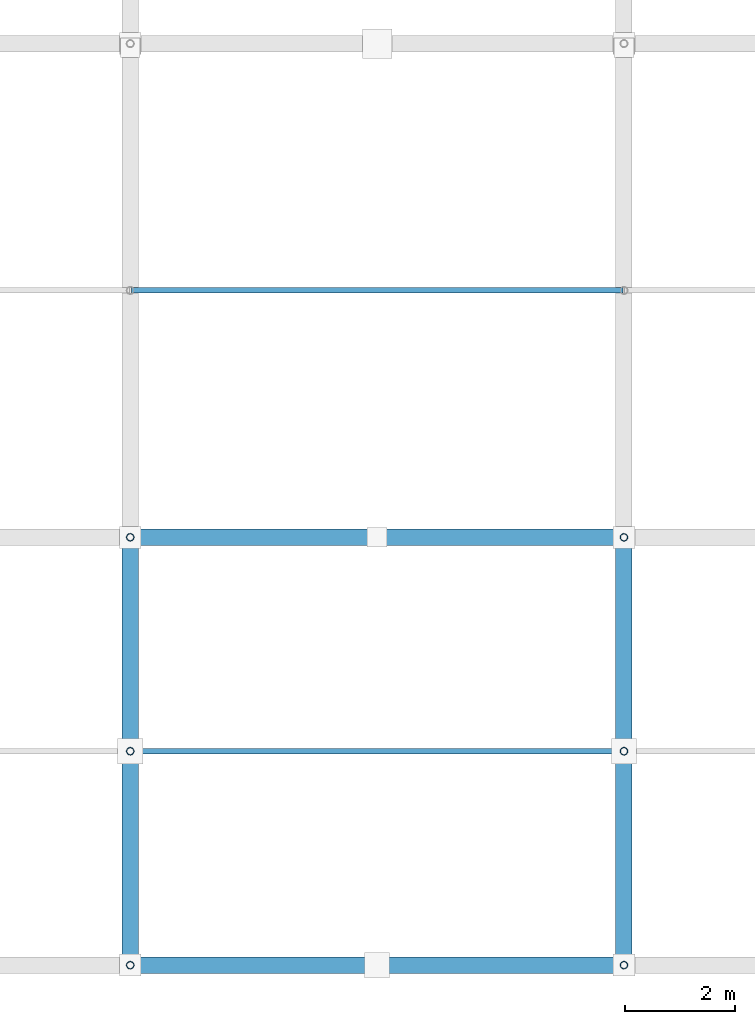
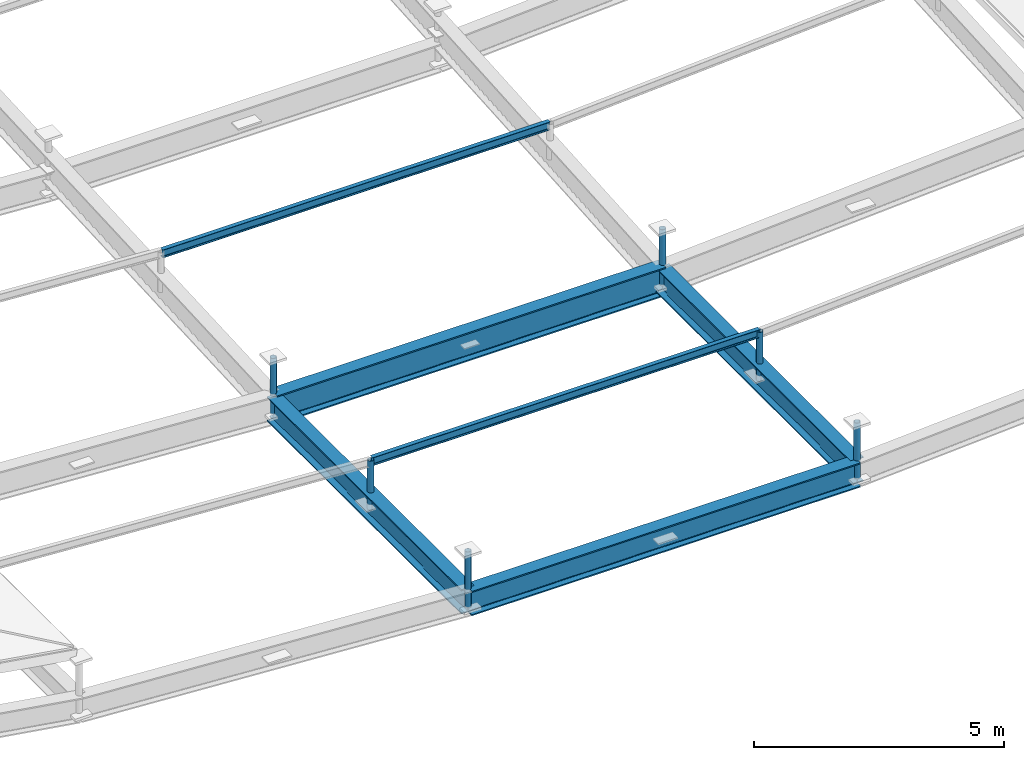
# One storey, part 14 of 80: 8 members, 4 beams.
"""IFC4 building model written with IfcOpenShell, lengths in metres."""

from ifc_helpers import new_model, si_unit, direction, frame, origin, origin_2d, place, context, subcontext, project, spatial, hollow_circle, i_section, extrude, material, material_profile, profile_set, type_object, element, save


model = new_model("IFC4")

# Units and contexts
model_context = context("Model", 3, precision=1e-05, world=origin(), true_north=direction((0.0, 1.0)))
body_context = subcontext(model_context, "Body", "Model", "MODEL_VIEW")
ifc_project = project(units=[si_unit("LENGTHUNIT", "METRE"), si_unit("AREAUNIT", "SQUARE_METRE"), si_unit("VOLUMEUNIT", "CUBIC_METRE"), si_unit("PLANEANGLEUNIT", "RADIAN"), si_unit("MASSUNIT", "GRAM", prefix="KILO")], contexts=[model_context])

# Site, building, storey
site_placement = place(None, origin())
site = spatial("IfcSite", under=ifc_project, at=site_placement, CompositionType="ELEMENT")
building_placement = place(site_placement, origin())
building = spatial("IfcBuilding", under=site, at=building_placement, Name="Barlavento Convention Centre", CompositionType="ELEMENT")
storey_placement = place(building_placement, frame((0.0, 0.0, 29.800048828125)))
storey = spatial("IfcBuildingStorey", under=building, at=storey_placement, Name="RF", CompositionType="ELEMENT", Elevation=29.800048828125)

# Beams
ifc_material_1 = material(Name="Steel S355", Category="steel")
ifc_material_profile_1 = material_profile(ifc_material_1, i_section(OverallWidth=0.300048828125, OverallDepth=0.60009765625, WebThickness=0.015380859375, FlangeThickness=0.030029296875, FilletRadius=0.027099609375, at=origin_2d()), Name="HEB 600")
ifc_profile_set_1 = profile_set([ifc_material_profile_1], Name="Steel S355")
beam_type_1 = type_object("IfcBeamType", Name="STR-BM-CANT-HEB600", PredefinedType="BEAM", material=ifc_profile_set_1)
beam_1_placement = place(storey_placement, frame((27.0048828125, -7.800048828125, -1.800048828125), z_axis=(1.0, 0.0, 0.0), x_axis=(0.0, 1.0, 0.0)))
element("IfcBeam", 1, at=beam_1_placement, inside=storey, type_object=beam_type_1, Name="Congress roof truss space frame chord", PredefinedType="BEAM", context=body_context, shape_type="SweptSolid", body=[
    extrude(i_section(OverallWidth=0.300048828125, OverallDepth=0.60009765625, WebThickness=0.015380859375, FlangeThickness=0.030029296875, FilletRadius=0.027099609375, at=origin_2d()), origin(), (0.0, 0.0, 1.0), 8.990234375),
])
for number, where, z_axis, x_axis, name in (
    (2, (27.0, -7.794921875, -1.800048828125), (0.0, 1.0, 0.0), (-1.0, 0.0, 0.0), "Congress roof truss space frame chord"),
    (3, (36.0, -7.794921875, -1.800048828125), (0.0, 1.0, 0.0), (-1.0, 0.0, 0.0), "Congress roof truss space frame chord"),
):
    element("IfcBeam", number, at=place(storey_placement, frame(where, z_axis=z_axis, x_axis=x_axis)), inside=storey, type_object=beam_type_1, Name=name, PredefinedType="BEAM", context=body_context, shape_type="SweptSolid", body=[
        extrude(i_section(OverallWidth=0.300048828125, OverallDepth=0.60009765625, WebThickness=0.015380859375, FlangeThickness=0.030029296875, FilletRadius=0.027099609375, at=origin_2d()), origin(), (0.0, 0.0, 1.0), 7.7900390625),
    ])
ifc_material_2 = material(Name="Steel S460", Category="steel")
ifc_material_profile_2 = material_profile(ifc_material_2, i_section(OverallWidth=0.300048828125, OverallDepth=0.699951171875, WebThickness=0.01708984375, FlangeThickness=0.031982421875, FilletRadius=0.027099609375, at=origin_2d()), Name="HEB 700")
ifc_profile_set_2 = profile_set([ifc_material_profile_2], Name="Steel S460")
beam_type_2 = type_object("IfcBeamType", Name="STR-BM-TRUSS-TOP-HEB700", PredefinedType="BEAM", material=ifc_profile_set_2)
beam_2_placement = place(storey_placement, frame((27.0048828125, 0.0, -1.800048828125), z_axis=(1.0, 0.0, 0.0), x_axis=(0.0, 1.0, 0.0)))
element("IfcBeam", 4, at=beam_2_placement, inside=storey, type_object=beam_type_2, Name="Congress roof truss space frame chord", PredefinedType="BEAM", context=body_context, shape_type="SweptSolid", body=[
    extrude(i_section(OverallWidth=0.300048828125, OverallDepth=0.699951171875, WebThickness=0.01708984375, FlangeThickness=0.031982421875, FilletRadius=0.027099609375, at=origin_2d()), origin(), (0.0, 0.0, 1.0), 8.990234375),
])

# Members
ifc_material_profile_3 = material_profile(ifc_material_1, hollow_circle(Radius=0.06982421875, WallThickness=0.008056640625, at=origin_2d()), Name="CHS 139.7x8.0")
ifc_profile_set_3 = profile_set([ifc_material_profile_3], Name="Steel S355")
member_type_1 = type_object("IfcMemberType", Name="STR-MEM-DIAG-CHS139", PredefinedType="BRACE", material=ifc_profile_set_3)
for number, where, z_axis, x_axis, name in (
    (5, (27.0, -7.800048828125, -1.949951171875), (0.0, 0.0, 1.0), (1.0, 0.0, 0.0), "Congress space frame vertical node post TD04"),
    (6, (27.0, 0.0, -1.949951171875), (0.0, 0.0, 1.0), (1.0, 0.0, 0.0), "Congress space frame vertical node post TD04"),
    (7, (36.0, -7.800048828125, -1.949951171875), (0.0, 0.0, 1.0), (1.0, 0.0, 0.0), "Congress space frame vertical node post TD04"),
    (8, (36.0, 0.0, -1.949951171875), (0.0, 0.0, 1.0), (1.0, 0.0, 0.0), "Congress space frame vertical node post TD04"),
):
    element("IfcMember", number, at=place(storey_placement, frame(where, z_axis=z_axis, x_axis=x_axis)), inside=storey, type_object=member_type_1, Name=name, PredefinedType="BRACE", context=body_context, shape_type="SweptSolid", body=[
        extrude(hollow_circle(Radius=0.06982421875, WallThickness=0.008056640625, at=origin_2d()), origin(), (0.0, 0.0, 1.0), 1.369873046875),
    ])
for number, where, z_axis, x_axis, name in (
    (9, (27.0, -3.89990234375, -1.920166015625), (0.0, 0.0, 1.0), (1.0, 0.0, 0.0), "Congress space frame vertical node post TD04"),
    (10, (36.0, -3.89990234375, -1.920166015625), (0.0, 0.0, 1.0), (1.0, 0.0, 0.0), "Congress space frame vertical node post TD04"),
):
    element("IfcMember", number, at=place(storey_placement, frame(where, z_axis=z_axis, x_axis=x_axis)), inside=storey, type_object=member_type_1, Name=name, PredefinedType="BRACE", context=body_context, shape_type="SweptSolid", body=[
        extrude(hollow_circle(Radius=0.06982421875, WallThickness=0.008056640625, at=origin_2d()), origin(), (0.0, 0.0, 1.0), 1.197021484375),
    ])
ifc_material_profile_4 = material_profile(ifc_material_1, i_section(OverallWidth=0.10009765625, OverallDepth=0.199951171875, WebThickness=0.005615234375, FlangeThickness=0.008544921875, FilletRadius=0.011962890625, at=origin_2d()), Name="IPE 200")
ifc_profile_set_4 = profile_set([ifc_material_profile_4], Name="Steel S355")
member_type_2 = type_object("IfcMemberType", Name="STR-MEM-PUR-IPE200", PredefinedType="PURLIN", material=ifc_profile_set_4)
for number, where, z_axis, x_axis, name in (
    (11, (27.02001953125, -3.89990234375, -0.762939453125), (1.0, 0.0, 0.0), (0.0, 1.0, 0.0), "Congress roof intermediate purlin PR01"),
    (12, (27.02001953125, 4.5, -0.778076171875), (1.0, 0.0, 0.0), (0.0, 1.0, 0.0), "Congress roof intermediate purlin PR01"),
):
    element("IfcMember", number, at=place(storey_placement, frame(where, z_axis=z_axis, x_axis=x_axis)), inside=storey, type_object=member_type_2, Name=name, PredefinedType="PURLIN", context=body_context, shape_type="SweptSolid", body=[
        extrude(i_section(OverallWidth=0.10009765625, OverallDepth=0.199951171875, WebThickness=0.005615234375, FlangeThickness=0.008544921875, FilletRadius=0.011962890625, at=origin_2d()), origin(), (0.0, 0.0, 1.0), 8.9599609375),
    ])

save(model, "model.ifc")
